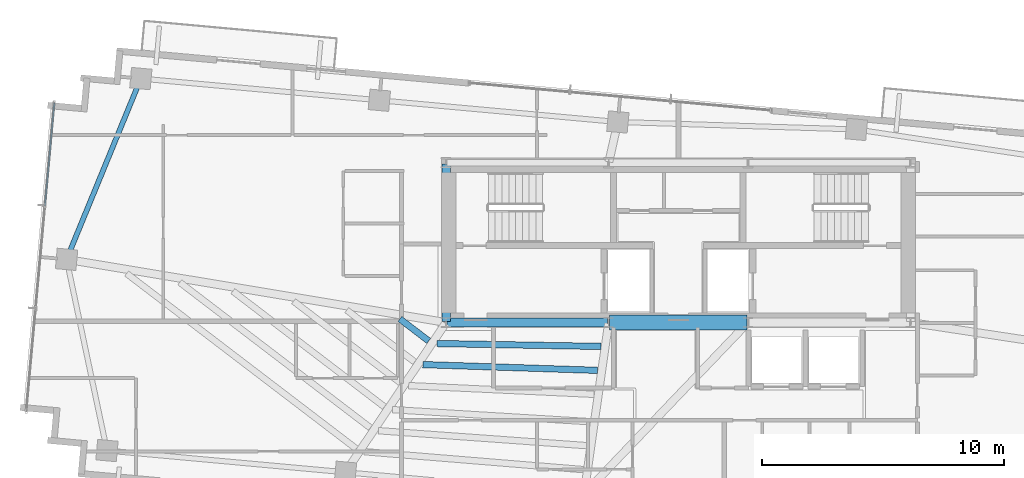
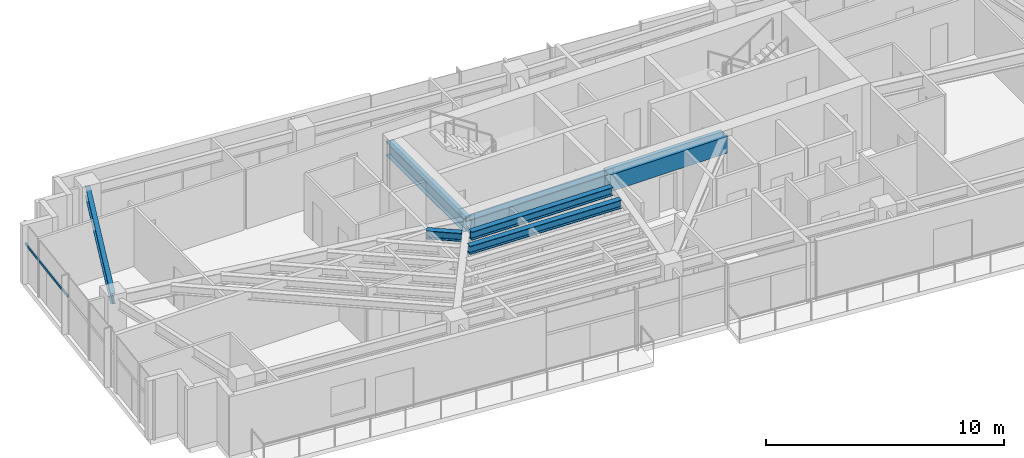
# One storey, part 8 of 22: 7 beams, 1 member, 1 element without a shape of its own.
"""IFC4 building model written with IfcOpenShell, lengths in metres."""

import ifcopenshell
import ifcopenshell.guid

model = None  # the IFC model being written
_history = None  # IfcOwnerHistory: only IFC2X3 demands one
_inside = {}  # id of a spatial element -> (the spatial element, [elements in it])
_under = {}  # id of a project, library or spatial element -> (it, [spatial elements below it])
_declared = {}  # id of a project -> (the project, [libraries it declares])
_typed = {}  # id of a type object -> (the type object, [elements of that type])
_made_of = {}  # id of a material, layer set ... -> (it, [elements and type objects made of it])


def new_model(schema):
    """Start an empty IFC model of exactly this schema.

    Asked for "IFC4X3", IfcOpenShell would pick the latest addendum, in which some entities
    have other attributes; the version numbers below select the first issue.
    IFC2X3 requires an IfcOwnerHistory on every rooted entity: one is made here for all.
    """
    global model, _history
    if schema == "IFC4X3":
        model = ifcopenshell.file(schema_version=(4, 3, 0, 0))
    else:
        model = ifcopenshell.file(schema=schema)
    _inside.clear()
    _under.clear()
    _declared.clear()
    _typed.clear()
    _made_of.clear()
    _history = None
    if model.schema == "IFC2X3":
        org = make("IfcOrganization", Name="unknown")
        user = make(
            "IfcPersonAndOrganization",
            ThePerson=make("IfcPerson", FamilyName="unknown"),
            TheOrganization=org,
        )
        app = make(
            "IfcApplication",
            ApplicationDeveloper=org,
            Version="unknown",
            ApplicationFullName="unknown",
            ApplicationIdentifier="unknown",
        )
        _history = make(
            "IfcOwnerHistory",
            OwningUser=user,
            OwningApplication=app,
            ChangeAction="ADDED",
            CreationDate=0,
        )
    return model


def make(cls, **values):
    """One entity of the class cls with the attributes given. An attribute that is None is left unset."""
    return model.create_entity(
        cls, **{name: value for name, value in values.items() if value is not None}
    )


def rooted(cls, **values):
    """An entity with a GlobalId (a new one), such as an element, a storey or a relation."""
    return make(cls, GlobalId=ifcopenshell.guid.new(), OwnerHistory=_history, **values)


def si_unit(unit_type, name, prefix=None):
    """IfcSIUnit, for example si_unit("LENGTHUNIT", "METRE", prefix="MILLI")."""
    return make("IfcSIUnit", UnitType=unit_type, Prefix=prefix, Name=name)


def assignment(units):
    """IfcUnitAssignment: the units of a project."""
    return None if units is None else make("IfcUnitAssignment", Units=units)


def point(xyz):
    """IfcCartesianPoint."""
    return None if xyz is None else make("IfcCartesianPoint", Coordinates=xyz)


def direction(xyz):
    """IfcDirection."""
    return None if xyz is None else make("IfcDirection", DirectionRatios=xyz)


def frame(location, z_axis=None, x_axis=None):
    """IfcAxis2Placement3D, a coordinate frame: its origin and axes. An axis left out is left unset."""
    return make(
        "IfcAxis2Placement3D",
        Location=point(location),
        Axis=direction(z_axis),
        RefDirection=direction(x_axis),
    )


def frame_2d(location, x_axis=None):
    """IfcAxis2Placement2D, a coordinate frame in the plane: its origin and x axis."""
    return make(
        "IfcAxis2Placement2D", Location=point(location), RefDirection=direction(x_axis)
    )


def origin():
    """The frame at (0, 0, 0) with its axes left unset."""
    return frame((0.0, 0.0, 0.0))


def origin_2d():
    """The frame at (0, 0) in the plane with its x axis left unset."""
    return frame_2d((0.0, 0.0))


def place(relative_to, where):
    """IfcLocalPlacement: puts the frame where relative to a parent placement (None: the world)."""
    return make(
        "IfcLocalPlacement", PlacementRelTo=relative_to, RelativePlacement=where
    )


def context(
    kind, dimensions, precision=None, world=None, true_north=None, identifier=None
):
    """IfcGeometricRepresentationContext, for example the 3D "Model" context."""
    return make(
        "IfcGeometricRepresentationContext",
        ContextIdentifier=identifier,
        ContextType=kind,
        CoordinateSpaceDimension=dimensions,
        Precision=precision,
        WorldCoordinateSystem=world,
        TrueNorth=true_north,
    )


def subcontext(parent, identifier, kind, view, scale=None):
    """IfcGeometricRepresentationSubContext, for example "Body" below "Model"."""
    return make(
        "IfcGeometricRepresentationSubContext",
        ContextIdentifier=identifier,
        ContextType=kind,
        ParentContext=parent,
        TargetScale=scale,
        TargetView=view,
    )


def project(units=None, contexts=None):
    """IfcProject with its units and contexts."""
    return rooted(
        "IfcProject",
        Name="project",
        RepresentationContexts=contexts,
        UnitsInContext=assignment(units),
    )


def spatial(cls, under=None, at=None, **own):
    """A site, building, storey or space (cls), placed at a placement, below another one or the project."""
    s = rooted(cls, ObjectPlacement=at, **own)
    if under is not None:
        _under.setdefault(under.id(), (under, []))[1].append(s)
    return s


def profile(cls, at=None, kind="AREA", **sizes):
    """A parametric profile (cls). Its sizes go by their IFC names, for example OverallWidth=200.0."""
    return make(cls, ProfileType=kind, Position=at, **sizes)


def rectangle(**sizes):
    """IfcRectangleProfileDef."""
    return profile("IfcRectangleProfileDef", **sizes)


def hollow_rectangle(**sizes):
    """IfcRectangleHollowProfileDef."""
    return profile("IfcRectangleHollowProfileDef", **sizes)


def i_section(**sizes):
    """IfcIShapeProfileDef."""
    return profile("IfcIShapeProfileDef", **sizes)


def extrude(swept, where, along, depth):
    """IfcExtrudedAreaSolid: the profile swept, set in the frame where, extruded along a direction by depth."""
    return make(
        "IfcExtrudedAreaSolid",
        SweptArea=swept,
        Position=where,
        ExtrudedDirection=direction(along),
        Depth=depth,
    )


def shape(context_of_items, identifier, shape_type, items):
    """IfcShapeRepresentation: the items that make up one representation, for example the "Body"."""
    return make(
        "IfcShapeRepresentation",
        ContextOfItems=context_of_items,
        RepresentationIdentifier=identifier,
        RepresentationType=shape_type,
        Items=items,
    )


def source(mapping_origin, context_of_items, identifier, shape_type, items):
    """IfcRepresentationMap: a shape defined once, which mapped items show again and again."""
    return make(
        "IfcRepresentationMap",
        MappingOrigin=mapping_origin,
        MappedRepresentation=shape(context_of_items, identifier, shape_type, items),
    )


def transform(
    local_origin,
    x_axis=None,
    y_axis=None,
    z_axis=None,
    scale=None,
    scale2=None,
    scale3=None,
    uniform=True,
):
    """IfcCartesianTransformationOperator3D, or its non-uniform kind. x_axis, y_axis, z_axis: its Axis1, 2, 3."""
    if uniform:
        return make(
            "IfcCartesianTransformationOperator3D",
            Axis1=direction(x_axis),
            Axis2=direction(y_axis),
            LocalOrigin=point(local_origin),
            Scale=scale,
            Axis3=direction(z_axis),
        )
    return make(
        "IfcCartesianTransformationOperator3DnonUniform",
        Axis1=direction(x_axis),
        Axis2=direction(y_axis),
        LocalOrigin=point(local_origin),
        Scale=scale,
        Axis3=direction(z_axis),
        Scale2=scale2,
        Scale3=scale3,
    )


def mapped(mapping_source, mapping_target):
    """IfcMappedItem: shows the shape of a source again, moved by a transform."""
    return make(
        "IfcMappedItem", MappingSource=mapping_source, MappingTarget=mapping_target
    )


def material(Name=None, Category=None):
    """IfcMaterial."""
    return make("IfcMaterial", Name=Name, Category=Category)


def material_profile(
    of_material, cross_section, Name=None, Category=None, Priority=None
):
    """IfcMaterialProfile: a cross section and its material."""
    return make(
        "IfcMaterialProfile",
        Name=Name,
        Material=of_material,
        Profile=cross_section,
        Priority=Priority,
        Category=Category,
    )


def profile_set(profiles, Name=None, composite=None):
    """IfcMaterialProfileSet."""
    return make(
        "IfcMaterialProfileSet",
        Name=Name,
        MaterialProfiles=profiles,
        CompositeProfile=composite,
    )


def made_of(thing, what):
    """Note that an element or type object is made of a material, layer set ...; save() writes the relation."""
    if what is not None:
        _made_of.setdefault(what.id(), (what, []))[1].append(thing)
    return thing


def type_object(cls, material=None, **own):
    """A type object (cls), such as IfcWallType, which elements share."""
    return made_of(rooted(cls, **own), material)


def type_shapes(of_type, sources):
    """Give a type object the sources (RepresentationMaps) that its elements show as mapped items."""
    of_type.RepresentationMaps = sources


def element(
    cls,
    number,
    at=None,
    inside=None,
    cuts=None,
    type_object=None,
    material=None,
    context=None,
    identifier="Body",
    shape_type=None,
    held_by="IfcProductDefinitionShape",
    body=None,
    shapes=None,
    **own,
):
    """One element of the class cls, such as IfcWall. Its Tag is "e" and its number.

    at: its placement. inside: the storey or other place that contains it. cuts: it is an
    opening in that element (IfcRelVoidsElement). A single representation is given by context,
    identifier, shape_type and body (its items); several are given by shapes. held_by: the class
    of the entity that holds the representations. save() writes the other relations.
    """
    e = rooted(cls, Tag="e%d" % number, ObjectPlacement=at, **own)
    if body is not None:
        shapes = [shape(context, identifier, shape_type, body)]
    if shapes is not None:
        e.Representation = make(held_by, Representations=shapes)
    if inside is not None:
        _inside.setdefault(inside.id(), (inside, []))[1].append(e)
    if cuts is not None:
        rooted(
            "IfcRelVoidsElement", RelatingBuildingElement=cuts, RelatedOpeningElement=e
        )
    if type_object is not None:
        _typed.setdefault(type_object.id(), (type_object, []))[1].append(e)
    return made_of(e, material)


def aggregate(whole, parts):
    """IfcRelAggregates: a whole, such as a stair, and the parts it consists of."""
    return rooted("IfcRelAggregates", RelatingObject=whole, RelatedObjects=parts)


def save(model, path):
    """Write the relations noted so far, then the file.

    IfcRelAggregates (storeys below a building ...), IfcRelContainedInSpatialStructure (elements
    in a storey), IfcRelDefinesByType, IfcRelAssociatesMaterial and IfcRelDeclares: one each for
    every whole, place, type object, material and project.
    """
    for whole, parts in _under.values():
        aggregate(whole, parts)
    for where, things in _inside.values():
        rooted(
            "IfcRelContainedInSpatialStructure",
            RelatedElements=things,
            RelatingStructure=where,
        )
    for kind, things in _typed.values():
        rooted("IfcRelDefinesByType", RelatedObjects=things, RelatingType=kind)
    for what, things in _made_of.values():
        rooted("IfcRelAssociatesMaterial", RelatedObjects=things, RelatingMaterial=what)
    for by, libraries in _declared.values():
        rooted("IfcRelDeclares", RelatingContext=by, RelatedDefinitions=libraries)
    model.write(path)


model = new_model("IFC4")

# Units and contexts
model_context = context("Model", 3, precision=1e-05, world=origin(), true_north=direction((0.0, 1.0)))
body_context = subcontext(model_context, "Body", "Model", "MODEL_VIEW")
ifc_project = project(units=[si_unit("LENGTHUNIT", "METRE"), si_unit("AREAUNIT", "SQUARE_METRE"), si_unit("VOLUMEUNIT", "CUBIC_METRE"), si_unit("PLANEANGLEUNIT", "RADIAN"), si_unit("MASSUNIT", "GRAM", prefix="KILO")], contexts=[model_context])

# Site, building, storey
site_placement = place(None, origin())
site = spatial("IfcSite", under=ifc_project, at=site_placement, CompositionType="ELEMENT")
building_placement = place(site_placement, origin())
building = spatial("IfcBuilding", under=site, at=building_placement, Name="Astriad Promenade Condominiums", CompositionType="ELEMENT")
storey_placement = place(building_placement, frame((0.0, 0.0, 223.199951171875)))
storey = spatial("IfcBuildingStorey", under=building, at=storey_placement, Name="L64", CompositionType="ELEMENT", Elevation=223.199951171875)

# Beams
ifc_material_1 = material(Name="Steel ASTM A992 Grade 50", Category="steel")
ifc_material_profile_1 = material_profile(ifc_material_1, i_section(OverallWidth=0.3837890625, OverallDepth=0.785888671875, WebThickness=0.019775390625, FlangeThickness=0.033447265625, FilletRadius=0.021484375, at=origin_2d()), Name="W30X211")
ifc_profile_set_1 = profile_set([ifc_material_profile_1], Name="Steel ASTM A992 Grade 50")
beam_type_1 = type_object("IfcBeamType", Name="STEEL FLOOR GIRDER W30X211", PredefinedType="BEAM", material=ifc_profile_set_1)
shared_shape_1 = source(origin(), body_context, "Body", "SweptSolid", [
    extrude(i_section(OverallWidth=0.3837890625, OverallDepth=0.785888671875, WebThickness=0.019775390625, FlangeThickness=0.033447265625, FilletRadius=0.021484375, at=origin_2d()), origin(), (0.0, 0.0, 1.0), 6.64013671875),
])
type_shapes(beam_type_1, [shared_shape_1])
beam_1_placement = place(storey_placement, frame((26.43994140625, 17.39990234375, 2.64697265625), z_axis=(1.0, 0.0, 0.0), x_axis=(0.0, 1.0, 0.0)))
element("IfcBeam", 1, at=beam_1_placement, inside=storey, type_object=beam_type_1, Name="Core Ring Beam CG-S1-L64", PredefinedType="BEAM", context=body_context, shape_type="MappedRepresentation", body=[
    mapped(shared_shape_1, transform((0.0, 0.0, 0.0), scale=1.0)),
])
ifc_material_profile_2 = material_profile(ifc_material_1, i_section(OverallWidth=0.35791015625, OverallDepth=0.706298828125, WebThickness=0.018310546875, FlangeThickness=0.0302734375, FilletRadius=0.020263671875, at=origin_2d()), Name="W27X178")
ifc_profile_set_2 = profile_set([ifc_material_profile_2], Name="Steel ASTM A992 Grade 50")
beam_type_2 = type_object("IfcBeamType", Name="STEEL FLOOR GIRDER W27X178", PredefinedType="BEAM", material=ifc_profile_set_2)
shared_shape_2 = source(origin(), body_context, "Body", "SweptSolid", [
    extrude(i_section(OverallWidth=0.35791015625, OverallDepth=0.706298828125, WebThickness=0.018310546875, FlangeThickness=0.0302734375, FilletRadius=0.020263671875, at=origin_2d()), origin(), (0.0, 0.0, 1.0), 6.52001953125),
])
type_shapes(beam_type_2, [shared_shape_2])
beam_2_placement = place(storey_placement, frame((26.39990234375, 17.43994140625, 2.686767578125), z_axis=(0.0, 1.0, 0.0), x_axis=(-1.0, 0.0, 0.0)))
element("IfcBeam", 2, at=beam_2_placement, inside=storey, type_object=beam_type_2, Name="Core Ring Beam CG-W1-L64", PredefinedType="BEAM", context=body_context, shape_type="MappedRepresentation", body=[
    mapped(shared_shape_2, transform((0.0, 0.0, 0.0), scale=1.0)),
])
ifc_material_2 = material(Name="Concrete C60/75", Category="concrete")
ifc_material_profile_3 = material_profile(ifc_material_2, rectangle(XDim=0.60009765625, YDim=0.85009765625, at=origin_2d()), Name="RC-BM-600X850")
ifc_profile_set_3 = profile_set([ifc_material_profile_3], Name="Concrete C60/75")
beam_type_3 = type_object("IfcBeamType", Name="CONCRETE CORE COUPLING LINTEL 600X850", PredefinedType="LINTEL", material=ifc_profile_set_3)
shared_shape_3 = source(origin(), body_context, "Body", "SweptSolid", [
    extrude(rectangle(XDim=0.60009765625, YDim=0.85009765625, at=origin_2d()), origin(), (0.0, 0.0, 1.0), 5.68017578125),
])
type_shapes(beam_type_3, [shared_shape_3])
beam_3_placement = place(storey_placement, frame((33.159912109375, 17.39990234375, 2.614990234375), z_axis=(1.0, 0.0, 0.0), x_axis=(0.0, 1.0, 0.0)))
element("IfcBeam", 3, at=beam_3_placement, inside=storey, type_object=beam_type_3, Name="Core Ring Beam CG-S2-L64", PredefinedType="LINTEL", context=body_context, shape_type="MappedRepresentation", body=[
    mapped(shared_shape_3, transform((0.0, 0.0, 0.0), scale=1.0)),
])
ifc_material_profile_4 = material_profile(ifc_material_1, i_section(OverallWidth=0.210693359375, OverallDepth=0.53955078125, WebThickness=0.01171875, FlangeThickness=0.018798828125, FilletRadius=0.0166015625, at=origin_2d()), Name="W21X73")
ifc_profile_set_4 = profile_set([ifc_material_profile_4], Name="Steel ASTM A992 Grade 50")
beam_type_4 = type_object("IfcBeamType", Name="STEEL SPANDREL BEAM W21X73", PredefinedType="SPANDREL", material=ifc_profile_set_4)
shared_shape_4 = source(origin(), body_context, "Body", "SweptSolid", [
    extrude(i_section(OverallWidth=0.210693359375, OverallDepth=0.53955078125, WebThickness=0.01171875, FlangeThickness=0.018798828125, FilletRadius=0.0166015625, at=origin_2d()), origin(), (0.0, 0.0, 1.0), 7.998779296875),
])
type_shapes(beam_type_4, [shared_shape_4])
beam_4_placement = place(storey_placement, frame((13.76611328125, 27.44580078125, 2.770263671875), z_axis=(-0.38000513148, -0.924984378273, 0.0), x_axis=(0.924984378273, -0.38000513148, 0.0)))
element("IfcBeam", 4, at=beam_4_placement, inside=storey, type_object=beam_type_4, Name="Perimeter Spandrel Beam SP-W2-L64", PredefinedType="SPANDREL", context=body_context, shape_type="MappedRepresentation", body=[
    mapped(shared_shape_4, transform((0.0, 0.0, 0.0), scale=1.0)),
])
ifc_material_profile_5 = material_profile(ifc_material_1, i_section(OverallWidth=0.26318359375, OverallDepth=0.425537109375, WebThickness=0.01318359375, FlangeThickness=0.022216796875, FilletRadius=0.013916015625, at=origin_2d()), Name="W16X89")
ifc_profile_set_5 = profile_set([ifc_material_profile_5], Name="Steel ASTM A992 Grade 50")
beam_type_5 = type_object("IfcBeamType", Name="STEEL FLOOR JOIST W16X89", PredefinedType="JOIST", material=ifc_profile_set_5)
shared_shape_5 = source(origin(), body_context, "Body", "SweptSolid", [
    extrude(i_section(OverallWidth=0.26318359375, OverallDepth=0.425537109375, WebThickness=0.01318359375, FlangeThickness=0.022216796875, FilletRadius=0.013916015625, at=origin_2d()), origin(), (0.0, 0.0, 1.0), 1.497314453125),
])
beam_5_placement = place(storey_placement, frame((24.489501953125, 17.547119140625, 2.827392578125), z_axis=(0.79482500583, -0.606838701887, 0.0), x_axis=(0.606838701887, 0.79482500583, 0.0)))
element("IfcBeam", 5, at=beam_5_placement, inside=storey, type_object=beam_type_5, Name="Secondary Composite Floor Joist JW1-6-L64", PredefinedType="JOIST", context=body_context, shape_type="MappedRepresentation", body=[
    mapped(shared_shape_5, transform((0.0, 0.0, 0.0), scale=1.0)),
])
shared_shape_6 = source(origin(), body_context, "Body", "SweptSolid", [
    extrude(i_section(OverallWidth=0.26318359375, OverallDepth=0.425537109375, WebThickness=0.01318359375, FlangeThickness=0.022216796875, FilletRadius=0.013916015625, at=origin_2d()), origin(), (0.0, 0.0, 1.0), 7.226318359375),
])
beam_6_placement = place(storey_placement, frame((25.43798828125, 15.659912109375, 2.827392578125), z_axis=(0.999453981353, -0.033041476313, 0.0), x_axis=(0.033041476313, 0.999453981353, 0.0)))
element("IfcBeam", 6, at=beam_6_placement, inside=storey, type_object=beam_type_5, Name="Secondary Composite Floor Joist JCW-5-L64", PredefinedType="JOIST", context=body_context, shape_type="MappedRepresentation", body=[
    mapped(shared_shape_6, transform((0.0, 0.0, 0.0), scale=1.0)),
])
shared_shape_7 = source(origin(), body_context, "Body", "SweptSolid", [
    extrude(i_section(OverallWidth=0.26318359375, OverallDepth=0.425537109375, WebThickness=0.01318359375, FlangeThickness=0.022216796875, FilletRadius=0.013916015625, at=origin_2d()), origin(), (0.0, 0.0, 1.0), 6.781494140625),
])
type_shapes(beam_type_5, [shared_shape_5, shared_shape_6, shared_shape_7])
beam_7_placement = place(storey_placement, frame((26.022216796875, 16.52978515625, 2.827392578125), z_axis=(0.999845665325, -0.017568310398, 0.0), x_axis=(0.017568310398, 0.999845665325, 0.0)))
element("IfcBeam", 7, at=beam_7_placement, inside=storey, type_object=beam_type_5, Name="Secondary Composite Floor Joist JCW-6-L64", PredefinedType="JOIST", context=body_context, shape_type="MappedRepresentation", body=[
    mapped(shared_shape_7, transform((0.0, 0.0, 0.0), scale=1.0)),
])

# Curtain wall, member
ifc_material_3 = material(Name="Anodised aluminium Black Dark Glass Unitised", Category="aluminium")
curtain_wall_type = type_object("IfcCurtainWallType", Name="CW-B5-DARK", PredefinedType="USERDEFINED", material=ifc_material_3)
curtain_wall_placement = place(storey_placement, origin())
curtain_wall = element("IfcCurtainWall", 8, at=curtain_wall_placement, inside=storey, type_object=curtain_wall_type, Name="CW-L64-W", ObjectType="UNITISED_CURTAIN_WALL", PredefinedType="USERDEFINED")
ifc_material_4 = material(Name="Anodised aluminium 6063-T6 Black", Category="aluminium")
ifc_material_profile_6 = material_profile(ifc_material_4, hollow_rectangle(XDim=0.06494140625, YDim=0.1298828125, WallThickness=0.00390625, at=origin_2d()), Name="ALU-TRN-65X130")
ifc_profile_set_6 = profile_set([ifc_material_profile_6], Name="Anodised aluminium 6063-T6 Black")
member_type = type_object("IfcMemberType", Name="TRN-ALU-TRN-65X130", PredefinedType="USERDEFINED", material=ifc_profile_set_6)
shared_shape_8 = source(origin(), body_context, "Body", "SweptSolid", [
    extrude(hollow_rectangle(XDim=0.06494140625, YDim=0.1298828125, WallThickness=0.00390625, at=origin_2d()), origin(), (0.0, 0.0, 1.0), 4.2666015625),
])
type_shapes(member_type, [shared_shape_8])
member_placement = place(storey_placement, frame((9.819091796875, 22.233642578125, 1.884765625), z_axis=(0.090638931954, 0.99588382054, 0.0), x_axis=(-0.99588382054, 0.090638931954, 0.0)))
member = element("IfcMember", 9, at=member_placement, type_object=member_type, Name="CW-L64-W-TRN-02-0", ObjectType="TRANSOM", PredefinedType="USERDEFINED", context=body_context, shape_type="MappedRepresentation", body=[
    mapped(shared_shape_8, transform((0.0, 0.0, 0.0), scale=1.0)),
])
aggregate(curtain_wall, [member])

save(model, "model.ifc")
